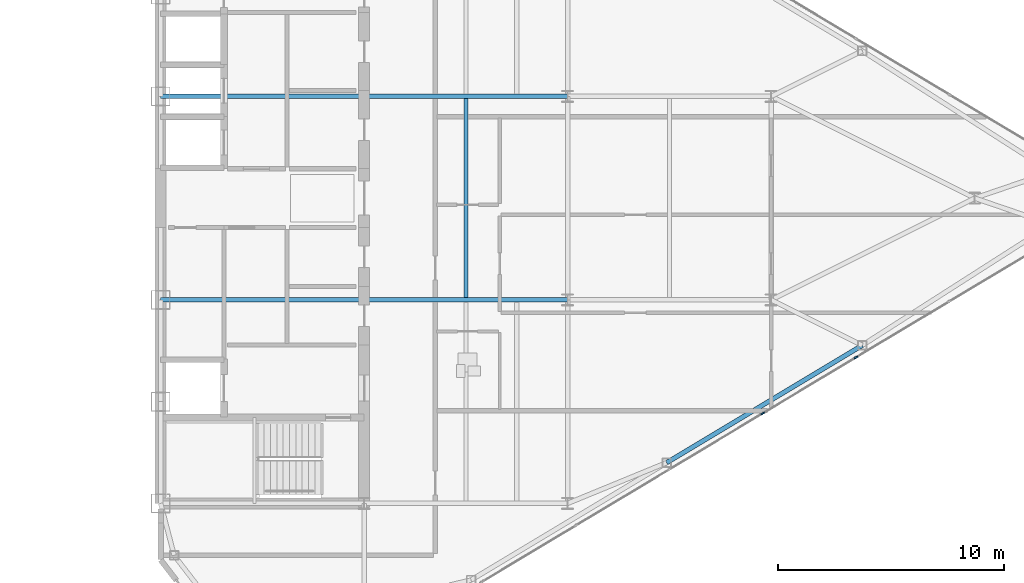
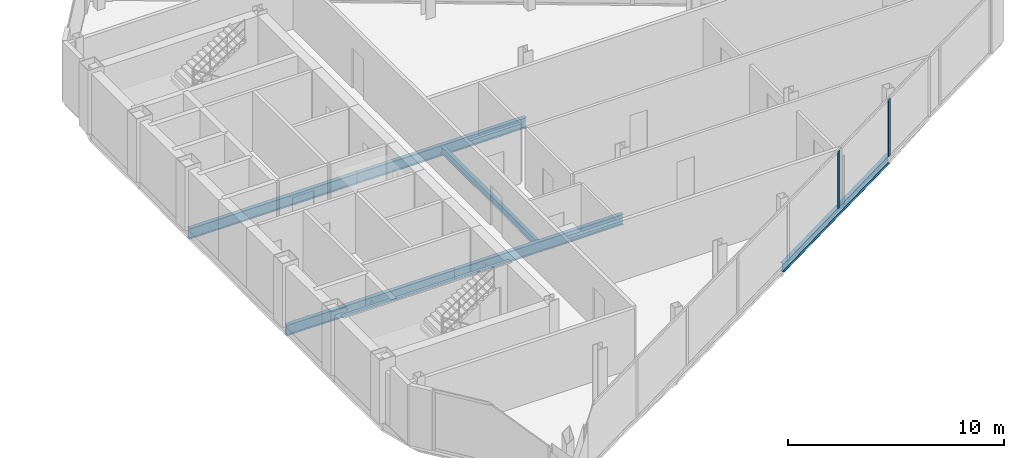
# One storey, part 13 of 25: 6 beams, 2 members, 1 element without a shape of its own.
"""IFC4 building model written with IfcOpenShell, lengths in metres."""

import ifcopenshell
import ifcopenshell.guid

model = None  # the IFC model being written
_history = None  # IfcOwnerHistory: only IFC2X3 demands one
_inside = {}  # id of a spatial element -> (the spatial element, [elements in it])
_under = {}  # id of a project, library or spatial element -> (it, [spatial elements below it])
_declared = {}  # id of a project -> (the project, [libraries it declares])
_typed = {}  # id of a type object -> (the type object, [elements of that type])
_made_of = {}  # id of a material, layer set ... -> (it, [elements and type objects made of it])


def new_model(schema):
    """Start an empty IFC model of exactly this schema.

    Asked for "IFC4X3", IfcOpenShell would pick the latest addendum, in which some entities
    have other attributes; the version numbers below select the first issue.
    IFC2X3 requires an IfcOwnerHistory on every rooted entity: one is made here for all.
    """
    global model, _history
    if schema == "IFC4X3":
        model = ifcopenshell.file(schema_version=(4, 3, 0, 0))
    else:
        model = ifcopenshell.file(schema=schema)
    _inside.clear()
    _under.clear()
    _declared.clear()
    _typed.clear()
    _made_of.clear()
    _history = None
    if model.schema == "IFC2X3":
        org = make("IfcOrganization", Name="unknown")
        user = make(
            "IfcPersonAndOrganization",
            ThePerson=make("IfcPerson", FamilyName="unknown"),
            TheOrganization=org,
        )
        app = make(
            "IfcApplication",
            ApplicationDeveloper=org,
            Version="unknown",
            ApplicationFullName="unknown",
            ApplicationIdentifier="unknown",
        )
        _history = make(
            "IfcOwnerHistory",
            OwningUser=user,
            OwningApplication=app,
            ChangeAction="ADDED",
            CreationDate=0,
        )
    return model


def make(cls, **values):
    """One entity of the class cls with the attributes given. An attribute that is None is left unset."""
    return model.create_entity(
        cls, **{name: value for name, value in values.items() if value is not None}
    )


def rooted(cls, **values):
    """An entity with a GlobalId (a new one), such as an element, a storey or a relation."""
    return make(cls, GlobalId=ifcopenshell.guid.new(), OwnerHistory=_history, **values)


def si_unit(unit_type, name, prefix=None):
    """IfcSIUnit, for example si_unit("LENGTHUNIT", "METRE", prefix="MILLI")."""
    return make("IfcSIUnit", UnitType=unit_type, Prefix=prefix, Name=name)


def assignment(units):
    """IfcUnitAssignment: the units of a project."""
    return None if units is None else make("IfcUnitAssignment", Units=units)


def point(xyz):
    """IfcCartesianPoint."""
    return None if xyz is None else make("IfcCartesianPoint", Coordinates=xyz)


def direction(xyz):
    """IfcDirection."""
    return None if xyz is None else make("IfcDirection", DirectionRatios=xyz)


def frame(location, z_axis=None, x_axis=None):
    """IfcAxis2Placement3D, a coordinate frame: its origin and axes. An axis left out is left unset."""
    return make(
        "IfcAxis2Placement3D",
        Location=point(location),
        Axis=direction(z_axis),
        RefDirection=direction(x_axis),
    )


def frame_2d(location, x_axis=None):
    """IfcAxis2Placement2D, a coordinate frame in the plane: its origin and x axis."""
    return make(
        "IfcAxis2Placement2D", Location=point(location), RefDirection=direction(x_axis)
    )


def origin():
    """The frame at (0, 0, 0) with its axes left unset."""
    return frame((0.0, 0.0, 0.0))


def origin_2d():
    """The frame at (0, 0) in the plane with its x axis left unset."""
    return frame_2d((0.0, 0.0))


def place(relative_to, where):
    """IfcLocalPlacement: puts the frame where relative to a parent placement (None: the world)."""
    return make(
        "IfcLocalPlacement", PlacementRelTo=relative_to, RelativePlacement=where
    )


def context(
    kind, dimensions, precision=None, world=None, true_north=None, identifier=None
):
    """IfcGeometricRepresentationContext, for example the 3D "Model" context."""
    return make(
        "IfcGeometricRepresentationContext",
        ContextIdentifier=identifier,
        ContextType=kind,
        CoordinateSpaceDimension=dimensions,
        Precision=precision,
        WorldCoordinateSystem=world,
        TrueNorth=true_north,
    )


def subcontext(parent, identifier, kind, view, scale=None):
    """IfcGeometricRepresentationSubContext, for example "Body" below "Model"."""
    return make(
        "IfcGeometricRepresentationSubContext",
        ContextIdentifier=identifier,
        ContextType=kind,
        ParentContext=parent,
        TargetScale=scale,
        TargetView=view,
    )


def project(units=None, contexts=None):
    """IfcProject with its units and contexts."""
    return rooted(
        "IfcProject",
        Name="project",
        RepresentationContexts=contexts,
        UnitsInContext=assignment(units),
    )


def spatial(cls, under=None, at=None, **own):
    """A site, building, storey or space (cls), placed at a placement, below another one or the project."""
    s = rooted(cls, ObjectPlacement=at, **own)
    if under is not None:
        _under.setdefault(under.id(), (under, []))[1].append(s)
    return s


def profile(cls, at=None, kind="AREA", **sizes):
    """A parametric profile (cls). Its sizes go by their IFC names, for example OverallWidth=200.0."""
    return make(cls, ProfileType=kind, Position=at, **sizes)


def rectangle(**sizes):
    """IfcRectangleProfileDef."""
    return profile("IfcRectangleProfileDef", **sizes)


def i_section(**sizes):
    """IfcIShapeProfileDef."""
    return profile("IfcIShapeProfileDef", **sizes)


def extrude(swept, where, along, depth):
    """IfcExtrudedAreaSolid: the profile swept, set in the frame where, extruded along a direction by depth."""
    return make(
        "IfcExtrudedAreaSolid",
        SweptArea=swept,
        Position=where,
        ExtrudedDirection=direction(along),
        Depth=depth,
    )


def shape(context_of_items, identifier, shape_type, items):
    """IfcShapeRepresentation: the items that make up one representation, for example the "Body"."""
    return make(
        "IfcShapeRepresentation",
        ContextOfItems=context_of_items,
        RepresentationIdentifier=identifier,
        RepresentationType=shape_type,
        Items=items,
    )


def source(mapping_origin, context_of_items, identifier, shape_type, items):
    """IfcRepresentationMap: a shape defined once, which mapped items show again and again."""
    return make(
        "IfcRepresentationMap",
        MappingOrigin=mapping_origin,
        MappedRepresentation=shape(context_of_items, identifier, shape_type, items),
    )


def transform(
    local_origin,
    x_axis=None,
    y_axis=None,
    z_axis=None,
    scale=None,
    scale2=None,
    scale3=None,
    uniform=True,
):
    """IfcCartesianTransformationOperator3D, or its non-uniform kind. x_axis, y_axis, z_axis: its Axis1, 2, 3."""
    if uniform:
        return make(
            "IfcCartesianTransformationOperator3D",
            Axis1=direction(x_axis),
            Axis2=direction(y_axis),
            LocalOrigin=point(local_origin),
            Scale=scale,
            Axis3=direction(z_axis),
        )
    return make(
        "IfcCartesianTransformationOperator3DnonUniform",
        Axis1=direction(x_axis),
        Axis2=direction(y_axis),
        LocalOrigin=point(local_origin),
        Scale=scale,
        Axis3=direction(z_axis),
        Scale2=scale2,
        Scale3=scale3,
    )


def mapped(mapping_source, mapping_target):
    """IfcMappedItem: shows the shape of a source again, moved by a transform."""
    return make(
        "IfcMappedItem", MappingSource=mapping_source, MappingTarget=mapping_target
    )


def material(Name=None, Category=None):
    """IfcMaterial."""
    return make("IfcMaterial", Name=Name, Category=Category)


def layer(
    of_material, thickness, ventilated=None, Name=None, Category=None, Priority=None
):
    """IfcMaterialLayer: one layer of a wall or slab, of a material (None: an air gap)."""
    return make(
        "IfcMaterialLayer",
        Material=of_material,
        LayerThickness=thickness,
        IsVentilated=ventilated,
        Name=Name,
        Category=Category,
        Priority=Priority,
    )


def layer_set(layers, Name=None):
    """IfcMaterialLayerSet."""
    return make("IfcMaterialLayerSet", MaterialLayers=layers, LayerSetName=Name)


def material_profile(
    of_material, cross_section, Name=None, Category=None, Priority=None
):
    """IfcMaterialProfile: a cross section and its material."""
    return make(
        "IfcMaterialProfile",
        Name=Name,
        Material=of_material,
        Profile=cross_section,
        Priority=Priority,
        Category=Category,
    )


def profile_set(profiles, Name=None, composite=None):
    """IfcMaterialProfileSet."""
    return make(
        "IfcMaterialProfileSet",
        Name=Name,
        MaterialProfiles=profiles,
        CompositeProfile=composite,
    )


def made_of(thing, what):
    """Note that an element or type object is made of a material, layer set ...; save() writes the relation."""
    if what is not None:
        _made_of.setdefault(what.id(), (what, []))[1].append(thing)
    return thing


def type_object(cls, material=None, **own):
    """A type object (cls), such as IfcWallType, which elements share."""
    return made_of(rooted(cls, **own), material)


def type_shapes(of_type, sources):
    """Give a type object the sources (RepresentationMaps) that its elements show as mapped items."""
    of_type.RepresentationMaps = sources


def element(
    cls,
    number,
    at=None,
    inside=None,
    cuts=None,
    type_object=None,
    material=None,
    context=None,
    identifier="Body",
    shape_type=None,
    held_by="IfcProductDefinitionShape",
    body=None,
    shapes=None,
    **own,
):
    """One element of the class cls, such as IfcWall. Its Tag is "e" and its number.

    at: its placement. inside: the storey or other place that contains it. cuts: it is an
    opening in that element (IfcRelVoidsElement). A single representation is given by context,
    identifier, shape_type and body (its items); several are given by shapes. held_by: the class
    of the entity that holds the representations. save() writes the other relations.
    """
    e = rooted(cls, Tag="e%d" % number, ObjectPlacement=at, **own)
    if body is not None:
        shapes = [shape(context, identifier, shape_type, body)]
    if shapes is not None:
        e.Representation = make(held_by, Representations=shapes)
    if inside is not None:
        _inside.setdefault(inside.id(), (inside, []))[1].append(e)
    if cuts is not None:
        rooted(
            "IfcRelVoidsElement", RelatingBuildingElement=cuts, RelatedOpeningElement=e
        )
    if type_object is not None:
        _typed.setdefault(type_object.id(), (type_object, []))[1].append(e)
    return made_of(e, material)


def aggregate(whole, parts):
    """IfcRelAggregates: a whole, such as a stair, and the parts it consists of."""
    return rooted("IfcRelAggregates", RelatingObject=whole, RelatedObjects=parts)


def save(model, path):
    """Write the relations noted so far, then the file.

    IfcRelAggregates (storeys below a building ...), IfcRelContainedInSpatialStructure (elements
    in a storey), IfcRelDefinesByType, IfcRelAssociatesMaterial and IfcRelDeclares: one each for
    every whole, place, type object, material and project.
    """
    for whole, parts in _under.values():
        aggregate(whole, parts)
    for where, things in _inside.values():
        rooted(
            "IfcRelContainedInSpatialStructure",
            RelatedElements=things,
            RelatingStructure=where,
        )
    for kind, things in _typed.values():
        rooted("IfcRelDefinesByType", RelatedObjects=things, RelatingType=kind)
    for what, things in _made_of.values():
        rooted("IfcRelAssociatesMaterial", RelatedObjects=things, RelatingMaterial=what)
    for by, libraries in _declared.values():
        rooted("IfcRelDeclares", RelatingContext=by, RelatedDefinitions=libraries)
    model.write(path)


model = new_model("IFC4")

# Units and contexts
model_context = context("Model", 3, precision=1e-05, world=origin(), true_north=direction((0.0, 1.0)))
body_context = subcontext(model_context, "Body", "Model", "MODEL_VIEW")
ifc_project = project(units=[si_unit("LENGTHUNIT", "METRE"), si_unit("AREAUNIT", "SQUARE_METRE"), si_unit("VOLUMEUNIT", "CUBIC_METRE"), si_unit("PLANEANGLEUNIT", "RADIAN"), si_unit("MASSUNIT", "GRAM", prefix="KILO")], contexts=[model_context])

# Site, building, storey
site_placement = place(None, origin())
site = spatial("IfcSite", under=ifc_project, at=site_placement, CompositionType="ELEMENT")
building_placement = place(site_placement, origin())
building = spatial("IfcBuilding", under=site, at=building_placement, Name="Seokmaru Belvedere", CompositionType="ELEMENT")
storey_placement = place(building_placement, frame((0.0, 0.0, 210.300048828125)))
storey = spatial("IfcBuildingStorey", under=building, at=storey_placement, Name="L56", CompositionType="ELEMENT", Elevation=210.300048828125)

# Beams
ifc_material_1 = material(Name="Steel SM355 (355 MPa)", Category="steel")
ifc_material_profile_1 = material_profile(ifc_material_1, i_section(OverallWidth=0.199951171875, OverallDepth=0.60009765625, WebThickness=0.010986328125, FlangeThickness=0.01708984375, at=origin_2d()), Name="H-600x200x11x17")
ifc_profile_set_1 = profile_set([ifc_material_profile_1], Name="Steel SM355 (355 MPa)")
beam_type_1 = type_object("IfcBeamType", Name="Primary Floor Girder H-600", PredefinedType="BEAM", material=ifc_profile_set_1)
shared_shape_1 = source(origin(), body_context, "Body", "SweptSolid", [
    extrude(i_section(OverallWidth=0.199951171875, OverallDepth=0.60009765625, WebThickness=0.010986328125, FlangeThickness=0.01708984375, at=origin_2d()), origin(), (0.0, 0.0, 1.0), 9.0),
])
type_shapes(beam_type_1, [shared_shape_1])
for number, where, z_axis, x_axis, name in (
    (1, (27.5, -4.5, -0.52001953125), (1.0, 0.0, 0.0), (0.0, 1.0, 0.0), "L56 E Core Tie Girder 2"),
    (2, (36.5, -4.5, -0.52001953125), (1.0, 0.0, 0.0), (0.0, 1.0, 0.0), "L56 E Wing Primary Girder 2"),
    (3, (27.5, 4.5, -0.52001953125), (1.0, 0.0, 0.0), (0.0, 1.0, 0.0), "L56 E Core Tie Girder 3"),
    (4, (36.5, 4.5, -0.52001953125), (1.0, 0.0, 0.0), (0.0, 1.0, 0.0), "L56 E Wing Primary Girder 3"),
):
    element("IfcBeam", number, at=place(storey_placement, frame(where, z_axis=z_axis, x_axis=x_axis)), inside=storey, type_object=beam_type_1, Name=name, PredefinedType="BEAM", context=body_context, shape_type="MappedRepresentation", body=[
        mapped(shared_shape_1, transform((0.0, 0.0, 0.0), scale=1.0)),
    ])
ifc_material_profile_2 = material_profile(ifc_material_1, i_section(OverallWidth=0.18505859375, OverallDepth=0.389892578125, WebThickness=0.008056640625, FlangeThickness=0.011962890625, at=origin_2d()), Name="H-390x185x8x12")
ifc_profile_set_2 = profile_set([ifc_material_profile_2], Name="Steel SM355 (355 MPa)")
beam_type_2 = type_object("IfcBeamType", Name="Secondary Floor Joist H-350", PredefinedType="JOIST", material=ifc_profile_set_2)
shared_shape_2 = source(origin(), body_context, "Body", "SweptSolid", [
    extrude(i_section(OverallWidth=0.18505859375, OverallDepth=0.389892578125, WebThickness=0.008056640625, FlangeThickness=0.011962890625, at=origin_2d()), origin(), (0.0, 0.0, 1.0), 8.7900390625),
])
type_shapes(beam_type_2, [shared_shape_2])
beam_1_placement = place(storey_placement, frame((41.0, -4.39501953125, -0.4150390625), z_axis=(0.0, 1.0, 0.0), x_axis=(-1.0, 0.0, 0.0)))
element("IfcBeam", 5, at=beam_1_placement, inside=storey, type_object=beam_type_2, Name="L56 E Secondary Floor Joist 2", PredefinedType="JOIST", context=body_context, shape_type="MappedRepresentation", body=[
    mapped(shared_shape_2, transform((0.0, 0.0, 0.0), scale=1.0)),
])
ifc_material_profile_3 = material_profile(ifc_material_1, i_section(OverallWidth=0.199951171875, OverallDepth=0.5, WebThickness=0.010009765625, FlangeThickness=0.01611328125, at=origin_2d()), Name="H-500x200x10x16")
ifc_profile_set_3 = profile_set([ifc_material_profile_3], Name="Steel SM355 (355 MPa)")
beam_type_3 = type_object("IfcBeamType", Name="Perimeter Spandrel Beam H-500", PredefinedType="SPANDREL", material=ifc_profile_set_3)
shared_shape_3 = source(origin(), body_context, "Body", "SweptSolid", [
    extrude(i_section(OverallWidth=0.199951171875, OverallDepth=0.5, WebThickness=0.010009765625, FlangeThickness=0.01611328125, at=origin_2d()), origin(), (0.0, 0.0, 1.0), 10.087646484375),
])
type_shapes(beam_type_3, [shared_shape_3])
beam_2_placement = place(storey_placement, frame((49.8798828125, -11.698974609375, -0.469970703125), z_axis=(0.857488654804, 0.514502873542, 0.0), x_axis=(-0.514502873542, 0.857488654804, 0.0)))
element("IfcBeam", 6, at=beam_2_placement, inside=storey, type_object=beam_type_3, Name="L56 E Faceted Flank Spandrel S-3", PredefinedType="SPANDREL", context=body_context, shape_type="MappedRepresentation", body=[
    mapped(shared_shape_3, transform((0.0, 0.0, 0.0), scale=1.0)),
])

# Curtain wall, members
ifc_material_2 = material(Name="Bronze Triple Insulating Glass", Category="glass")
ifc_layer = layer(ifc_material_2, 0.179931640625)
ifc_layer_set = layer_set([ifc_layer], Name="Bronze Triple Insulating Glass")
curtain_wall_type = type_object("IfcCurtainWallType", Name="High-Rise Wind-Corner Curtain Wall System CW-5", PredefinedType="NOTDEFINED", material=ifc_layer_set)
curtain_wall_placement = place(storey_placement, origin())
curtain_wall = element("IfcCurtainWall", 7, at=curtain_wall_placement, inside=storey, type_object=curtain_wall_type, Name="L56 Curtain Wall EF1", PredefinedType="NOTDEFINED")
ifc_material_3 = material(Name="Anodised Bronze Aluminium", Category="aluminium")
ifc_material_profile_4 = material_profile(ifc_material_3, rectangle(XDim=0.06494140625, YDim=0.179931640625, at=origin_2d()), Name="CW-M-65x180")
ifc_profile_set_4 = profile_set([ifc_material_profile_4], Name="Anodised Bronze Aluminium")
member_type = type_object("IfcMemberType", Name="Bronze Unitised Mullion 65x180", PredefinedType="MULLION", material=ifc_profile_set_4)
shared_shape_4 = source(origin(), body_context, "Body", "SweptSolid", [
    extrude(rectangle(XDim=0.06494140625, YDim=0.179931640625, at=origin_2d()), origin(), (0.0, 0.0, 1.0), 3.25),
])
type_shapes(member_type, [shared_shape_4])
member_1_placement = place(storey_placement, frame((54.12841796875, -9.52294921875, 0.06494140625), z_axis=(0.0, 0.0, 1.0), x_axis=(-0.514494909364, 0.85749343335, 0.0)))
member_1 = element("IfcMember", 8, at=member_1_placement, type_object=member_type, Name="CW:L56:EF1 Mullion 6", PredefinedType="MULLION", context=body_context, shape_type="MappedRepresentation", body=[
    mapped(shared_shape_4, transform((0.0, 0.0, 0.0), scale=1.0)),
])
member_2_placement = place(storey_placement, frame((58.257080078125, -7.0458984375, 0.06494140625), z_axis=(0.0, 0.0, 1.0), x_axis=(-0.514494909364, 0.85749343335, 0.0)))
member_2 = element("IfcMember", 9, at=member_2_placement, type_object=member_type, Name="CW:L56:EF1 Mullion 7", PredefinedType="MULLION", context=body_context, shape_type="MappedRepresentation", body=[
    mapped(shared_shape_4, transform((0.0, 0.0, 0.0), scale=1.0)),
])
aggregate(curtain_wall, [member_1, member_2])

save(model, "model.ifc")
